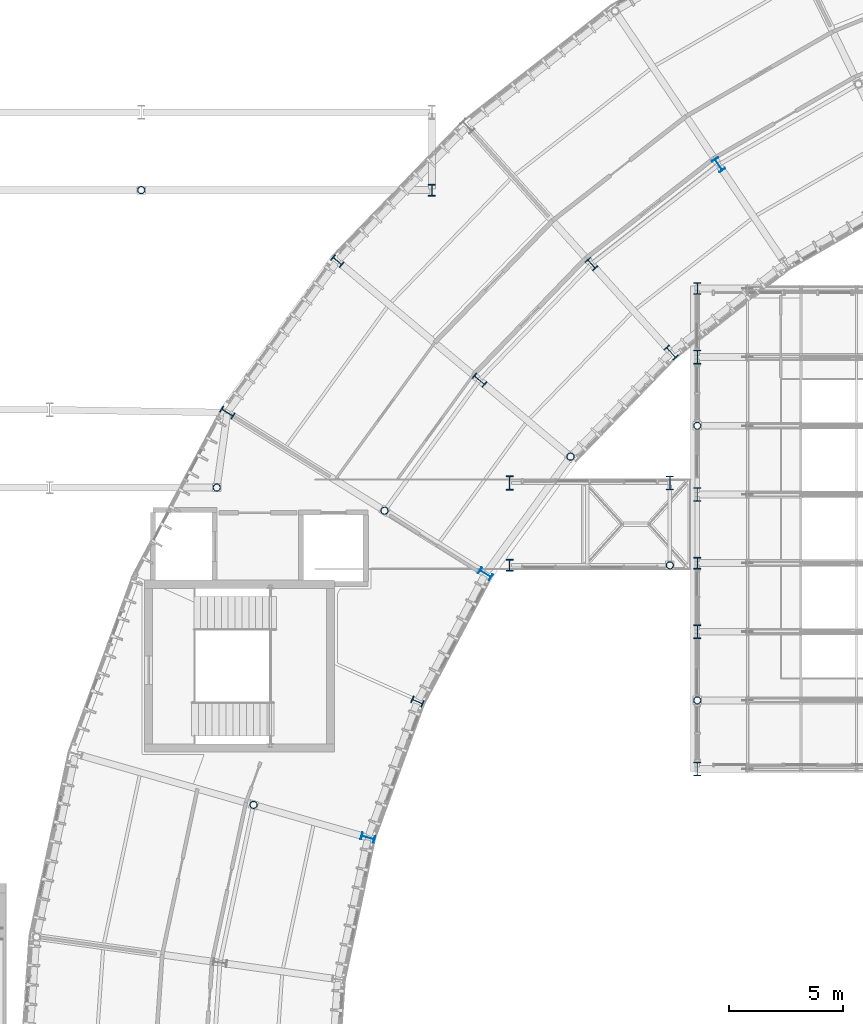
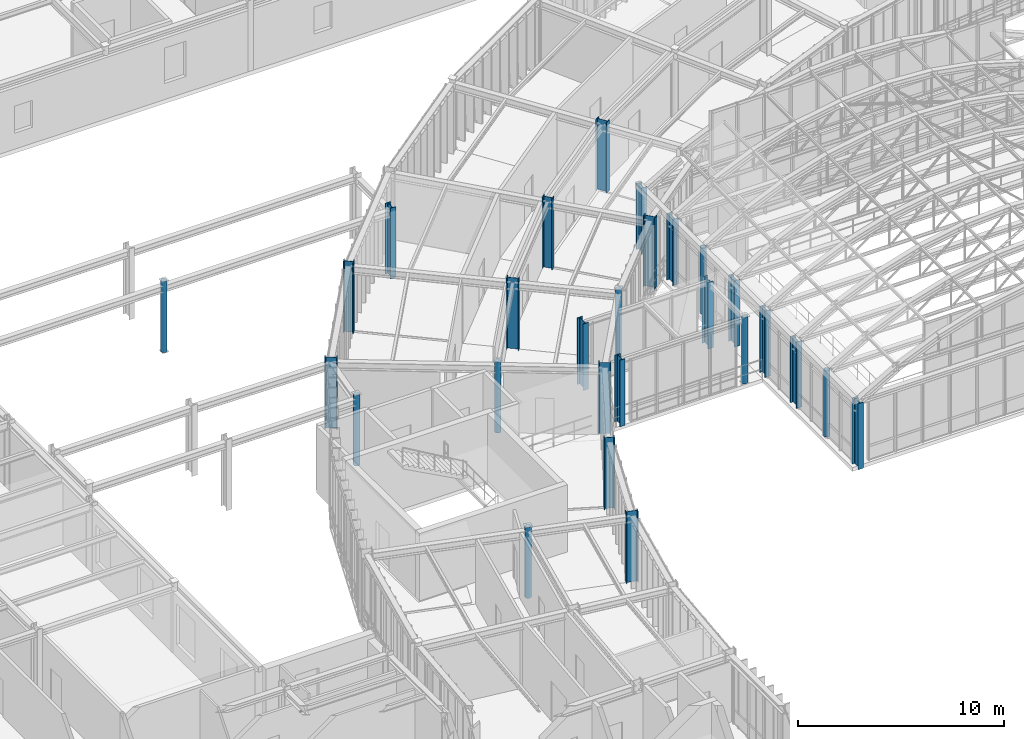
# One storey, part 4 of 148: 27 columns.
"""IFC4 building model written with IfcOpenShell, lengths in metres."""

from ifc_helpers import new_model, si_unit, direction, frame, origin, origin_2d, place, context, subcontext, project, spatial, hollow_circle, i_section, extrude, material, material_profile, profile_set, type_object, element, save


model = new_model("IFC4")

# Units and contexts
model_context = context("Model", 3, precision=1e-05, world=origin(), true_north=direction((0.0, 1.0)))
body_context = subcontext(model_context, "Body", "Model", "MODEL_VIEW")
ifc_project = project(units=[si_unit("LENGTHUNIT", "METRE"), si_unit("AREAUNIT", "SQUARE_METRE"), si_unit("VOLUMEUNIT", "CUBIC_METRE"), si_unit("PLANEANGLEUNIT", "RADIAN"), si_unit("MASSUNIT", "GRAM", prefix="KILO"), si_unit("THERMODYNAMICTEMPERATUREUNIT", "KELVIN"), si_unit("POWERUNIT", "WATT")], contexts=[model_context])

# Site, building, storey
site_placement = place(None, origin())
site = spatial("IfcSite", under=ifc_project, at=site_placement, CompositionType="ELEMENT")
building_placement = place(site_placement, origin())
building = spatial("IfcBuilding", under=site, at=building_placement, Name="Solvatero Civic Police Headquarters", CompositionType="ELEMENT")
storey_placement = place(building_placement, frame((0.0, 0.0, 5.10009765625)))
storey = spatial("IfcBuildingStorey", under=building, at=storey_placement, Name="L01", CompositionType="ELEMENT", Elevation=5.10009765625)

# Columns
ifc_material = material(Name="Steel S355", Category="steel")
ifc_material_profile_1 = material_profile(ifc_material, hollow_circle(Radius=0.161865234375, WallThickness=0.01611328125, at=origin_2d()), Name="CHS 323.9x16.0")
ifc_profile_set_1 = profile_set([ifc_material_profile_1], Name="Steel S355")
column_type_1 = type_object("IfcColumnType", Name="COL-ST-CHS324", PredefinedType="COLUMN", material=ifc_profile_set_1)
for number, where, z_axis, x_axis, name in (
    (1, (59.260009765625, 55.150390625, 0.0), (0.0, 0.0, 1.0), (0.642787609687, 0.766044443119, 0.0), "Column ARC-S07-IN L01"),
    (2, (51.131103515625, 52.787353515625, 0.0), (0.0, 0.0, 1.0), (0.529919264233, 0.848048096156, 0.0), "Column ARC-S08-MID L01"),
    (3, (45.408203125, 39.93359375, 0.0), (0.0, 0.0, 1.0), (0.275637355817, 0.961261695938, 0.0), "Column ARC-S10-MID L01"),
    (4, (43.800048828125, 53.800048828125, 0.0), (0.0, 0.0, 1.0), (1.0, 0.0, 0.0), "Column SB1-E-S L01"),
    (5, (40.5, 66.800048828125, 0.0), (0.0, 0.0, 1.0), (1.0, 0.0, 0.0), "Column SB2-MID-S L01"),
):
    element("IfcColumn", number, at=place(storey_placement, frame(where, z_axis=z_axis, x_axis=x_axis)), inside=storey, type_object=column_type_1, Name=name, PredefinedType="COLUMN", context=body_context, shape_type="SweptSolid", body=[
        extrude(hollow_circle(Radius=0.161865234375, WallThickness=0.01611328125, at=origin_2d()), origin(), (0.0, 0.0, 1.0), 4.199951171875),
    ])
for number, where, z_axis, x_axis, name in (
    (6, (64.800048828125, 44.5, 0.0), (0.0, 0.0, 1.0), (1.0, 0.0, 0.0), "Column V2-W-F2 L01"),
    (7, (64.800048828125, 56.5, 0.0), (0.0, 0.0, 1.0), (1.0, 0.0, 0.0), "Column V2-W-F6 L01"),
):
    element("IfcColumn", number, at=place(storey_placement, frame(where, z_axis=z_axis, x_axis=x_axis)), inside=storey, type_object=column_type_1, Name=name, PredefinedType="COLUMN", context=body_context, shape_type="SweptSolid", body=[
        extrude(hollow_circle(Radius=0.161865234375, WallThickness=0.01611328125, at=origin_2d()), origin(), (0.0, 0.0, 1.0), 3.919921875),
    ])
column_1_placement = place(storey_placement, frame((63.60009765625, 50.39990234375, 0.0), z_axis=(0.0, 0.0, 1.0), x_axis=(1.0, 0.0, 0.0)))
element("IfcColumn", 8, at=column_1_placement, inside=storey, type_object=column_type_1, Name="Column V2LK-ES L01", PredefinedType="COLUMN", context=body_context, shape_type="SweptSolid", body=[
    extrude(hollow_circle(Radius=0.161865234375, WallThickness=0.01611328125, at=origin_2d()), origin(), (0.0, 0.0, 1.0), 3.93994140625),
])
ifc_material_profile_2 = material_profile(ifc_material, i_section(OverallWidth=0.300048828125, OverallDepth=0.60009765625, WebThickness=0.015380859375, FlangeThickness=0.030029296875, FilletRadius=0.027099609375, at=origin_2d()), Name="HEB 600")
ifc_profile_set_2 = profile_set([ifc_material_profile_2], Name="Steel S355")
column_type_2 = type_object("IfcColumnType", Name="COL-ST-HEB600", PredefinedType="COLUMN", material=ifc_profile_set_2)
for number, where, z_axis, x_axis, name in (
    (9, (65.73291015625, 67.90771484375, 0.0), (0.0, 0.0, 1.0), (0.829037572555, 0.559192903471, 0.0), "Column ARC-S05-MID L01"),
    (10, (55.541015625, 50.03173828125, 0.0), (0.0, 0.0, 1.0), (0.529919264233, 0.848048096156, 0.0), "Column ARC-S08-IN L01"),
    (11, (50.40673828125, 38.500244140625, 0.0), (0.0, 0.0, 1.0), (0.275637355817, 0.961261695938, 0.0), "Column ARC-S10-IN L01"),
):
    element("IfcColumn", number, at=place(storey_placement, frame(where, z_axis=z_axis, x_axis=x_axis)), inside=storey, type_object=column_type_2, Name=name, PredefinedType="COLUMN", context=body_context, shape_type="SweptSolid", body=[
        extrude(i_section(OverallWidth=0.300048828125, OverallDepth=0.60009765625, WebThickness=0.015380859375, FlangeThickness=0.030029296875, FilletRadius=0.027099609375, at=origin_2d()), origin(), (0.0, 0.0, 1.0), 4.199951171875),
    ])
for number, where, z_axis, x_axis, name in (
    (12, (64.800048828125, 41.5, 0.0), (0.0, 0.0, 1.0), (1.0, 0.0, 0.0), "Column V2-W-F1 L01"),
    (13, (64.800048828125, 53.5, 0.0), (0.0, 0.0, 1.0), (1.0, 0.0, 0.0), "Column V2-W-F5 L01"),
):
    element("IfcColumn", number, at=place(storey_placement, frame(where, z_axis=z_axis, x_axis=x_axis)), inside=storey, type_object=column_type_2, Name=name, PredefinedType="COLUMN", context=body_context, shape_type="SweptSolid", body=[
        extrude(i_section(OverallWidth=0.300048828125, OverallDepth=0.60009765625, WebThickness=0.015380859375, FlangeThickness=0.030029296875, FilletRadius=0.027099609375, at=origin_2d()), origin(), (0.0, 0.0, 1.0), 3.919921875),
    ])
column_2_placement = place(storey_placement, frame((63.60009765625, 54.0, 0.0), z_axis=(0.0, 0.0, 1.0), x_axis=(1.0, 0.0, 0.0)))
element("IfcColumn", 14, at=column_2_placement, inside=storey, type_object=column_type_2, Name="Column V2LK-EN L01", PredefinedType="COLUMN", context=body_context, shape_type="SweptSolid", body=[
    extrude(i_section(OverallWidth=0.300048828125, OverallDepth=0.60009765625, WebThickness=0.015380859375, FlangeThickness=0.030029296875, FilletRadius=0.027099609375, at=origin_2d()), origin(), (0.0, 0.0, 1.0), 3.93994140625),
])
ifc_material_profile_3 = material_profile(ifc_material, i_section(OverallWidth=0.305908203125, OverallDepth=0.52392578125, WebThickness=0.02099609375, FlangeThickness=0.0400390625, FilletRadius=0.027099609375, at=origin_2d()), Name="HEM 500")
ifc_profile_set_3 = profile_set([ifc_material_profile_3], Name="Steel S355")
column_type_3 = type_object("IfcColumnType", Name="COL-ST-HEM500", PredefinedType="COLUMN", material=ifc_profile_set_3)
for number, where, z_axis, x_axis, name in (
    (15, (60.17529296875, 63.56591796875, 0.0), (0.0, 0.0, 1.0), (0.743144825477, 0.669130606359, 0.0), "Column ARC-S06-MID L01"),
    (16, (49.071533203125, 63.699462890625, 0.0), (0.0, 0.0, 1.0), (0.642787609687, 0.766044443119, 0.0), "Column ARC-S07-OUT L01"),
    (17, (52.57080078125, 44.445556640625, 0.0), (0.0, 0.0, 1.0), (0.406736643076, 0.913545457643, 0.0), "Column ARC-S09-IN L01"),
    (18, (53.199951171875, 66.800048828125, 0.0), (0.0, 0.0, 1.0), (1.0, 0.0, 0.0), "Column SB2-E-S L01"),
):
    element("IfcColumn", number, at=place(storey_placement, frame(where, z_axis=z_axis, x_axis=x_axis)), inside=storey, type_object=column_type_3, Name=name, PredefinedType="COLUMN", context=body_context, shape_type="SweptSolid", body=[
        extrude(i_section(OverallWidth=0.305908203125, OverallDepth=0.52392578125, WebThickness=0.02099609375, FlangeThickness=0.0400390625, FilletRadius=0.027099609375, at=origin_2d()), origin(), (0.0, 0.0, 1.0), 4.199951171875),
    ])
for number, where, z_axis, x_axis, name in (
    (19, (64.800048828125, 50.5, 0.0), (0.0, 0.0, 1.0), (1.0, 0.0, 0.0), "Column V2-W-F4 L01"),
    (20, (64.800048828125, 62.5, 0.0), (0.0, 0.0, 1.0), (1.0, 0.0, 0.0), "Column V2-W-F8 L01"),
):
    element("IfcColumn", number, at=place(storey_placement, frame(where, z_axis=z_axis, x_axis=x_axis)), inside=storey, type_object=column_type_3, Name=name, PredefinedType="COLUMN", context=body_context, shape_type="SweptSolid", body=[
        extrude(i_section(OverallWidth=0.305908203125, OverallDepth=0.52392578125, WebThickness=0.02099609375, FlangeThickness=0.0400390625, FilletRadius=0.027099609375, at=origin_2d()), origin(), (0.0, 0.0, 1.0), 3.919921875),
    ])
column_3_placement = place(storey_placement, frame((56.60009765625, 50.39990234375, 0.0), z_axis=(0.0, 0.0, 1.0), x_axis=(1.0, 0.0, 0.0)))
element("IfcColumn", 21, at=column_3_placement, inside=storey, type_object=column_type_3, Name="Column V2LK-WS L01", PredefinedType="COLUMN", context=body_context, shape_type="SweptSolid", body=[
    extrude(i_section(OverallWidth=0.305908203125, OverallDepth=0.52392578125, WebThickness=0.02099609375, FlangeThickness=0.0400390625, FilletRadius=0.027099609375, at=origin_2d()), origin(), (0.0, 0.0, 1.0), 3.93994140625),
])
ifc_material_profile_4 = material_profile(ifc_material, i_section(OverallWidth=0.304931640625, OverallDepth=0.6201171875, WebThickness=0.02099609375, FlangeThickness=0.0400390625, FilletRadius=0.027099609375, at=origin_2d()), Name="HEM 600")
ifc_profile_set_4 = profile_set([ifc_material_profile_4], Name="Steel S355")
column_type_4 = type_object("IfcColumnType", Name="COL-ST-HEM600", PredefinedType="COLUMN", material=ifc_profile_set_4)
for number, where, z_axis, x_axis, name in (
    (22, (63.65478515625, 59.70166015625, 0.0), (0.0, 0.0, 1.0), (0.743144825477, 0.669130606359, 0.0), "Column ARC-S06-IN L01"),
    (23, (55.276611328125, 58.492919921875, 0.0), (0.0, 0.0, 1.0), (0.642787609687, 0.766044443119, 0.0), "Column ARC-S07-MID L01"),
    (24, (44.261962890625, 57.079833984375, 0.0), (0.0, 0.0, 1.0), (0.529919264233, 0.848048096156, 0.0), "Column ARC-S08-OUT L01"),
):
    element("IfcColumn", number, at=place(storey_placement, frame(where, z_axis=z_axis, x_axis=x_axis)), inside=storey, type_object=column_type_4, Name=name, PredefinedType="COLUMN", context=body_context, shape_type="SweptSolid", body=[
        extrude(i_section(OverallWidth=0.304931640625, OverallDepth=0.6201171875, WebThickness=0.02099609375, FlangeThickness=0.0400390625, FilletRadius=0.027099609375, at=origin_2d()), origin(), (0.0, 0.0, 1.0), 4.199951171875),
    ])
for number, where, z_axis, x_axis, name in (
    (25, (64.800048828125, 47.5, 0.0), (0.0, 0.0, 1.0), (1.0, 0.0, 0.0), "Column V2-W-F3 L01"),
    (26, (64.800048828125, 59.5, 0.0), (0.0, 0.0, 1.0), (1.0, 0.0, 0.0), "Column V2-W-F7 L01"),
):
    element("IfcColumn", number, at=place(storey_placement, frame(where, z_axis=z_axis, x_axis=x_axis)), inside=storey, type_object=column_type_4, Name=name, PredefinedType="COLUMN", context=body_context, shape_type="SweptSolid", body=[
        extrude(i_section(OverallWidth=0.304931640625, OverallDepth=0.6201171875, WebThickness=0.02099609375, FlangeThickness=0.0400390625, FilletRadius=0.027099609375, at=origin_2d()), origin(), (0.0, 0.0, 1.0), 3.919921875),
    ])
column_4_placement = place(storey_placement, frame((56.60009765625, 54.0, 0.0), z_axis=(0.0, 0.0, 1.0), x_axis=(1.0, 0.0, 0.0)))
element("IfcColumn", 27, at=column_4_placement, inside=storey, type_object=column_type_4, Name="Column V2LK-WN L01", PredefinedType="COLUMN", context=body_context, shape_type="SweptSolid", body=[
    extrude(i_section(OverallWidth=0.304931640625, OverallDepth=0.6201171875, WebThickness=0.02099609375, FlangeThickness=0.0400390625, FilletRadius=0.027099609375, at=origin_2d()), origin(), (0.0, 0.0, 1.0), 3.93994140625),
])

save(model, "model.ifc")
